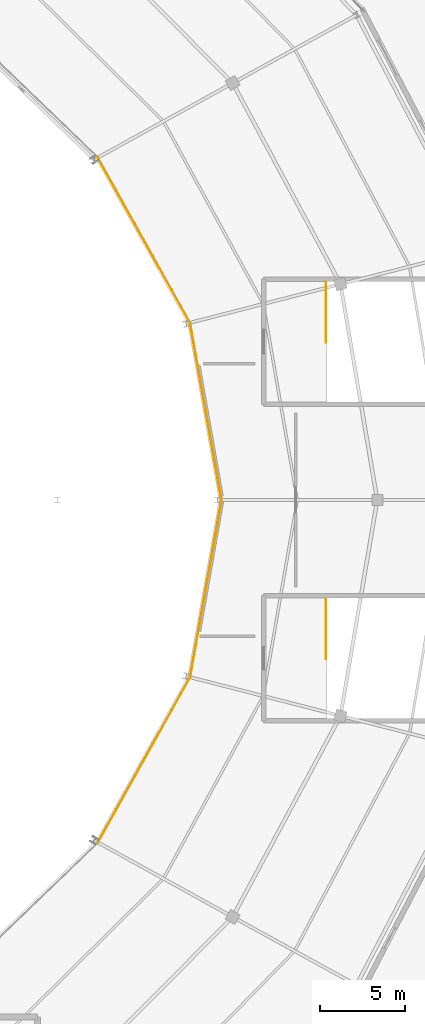
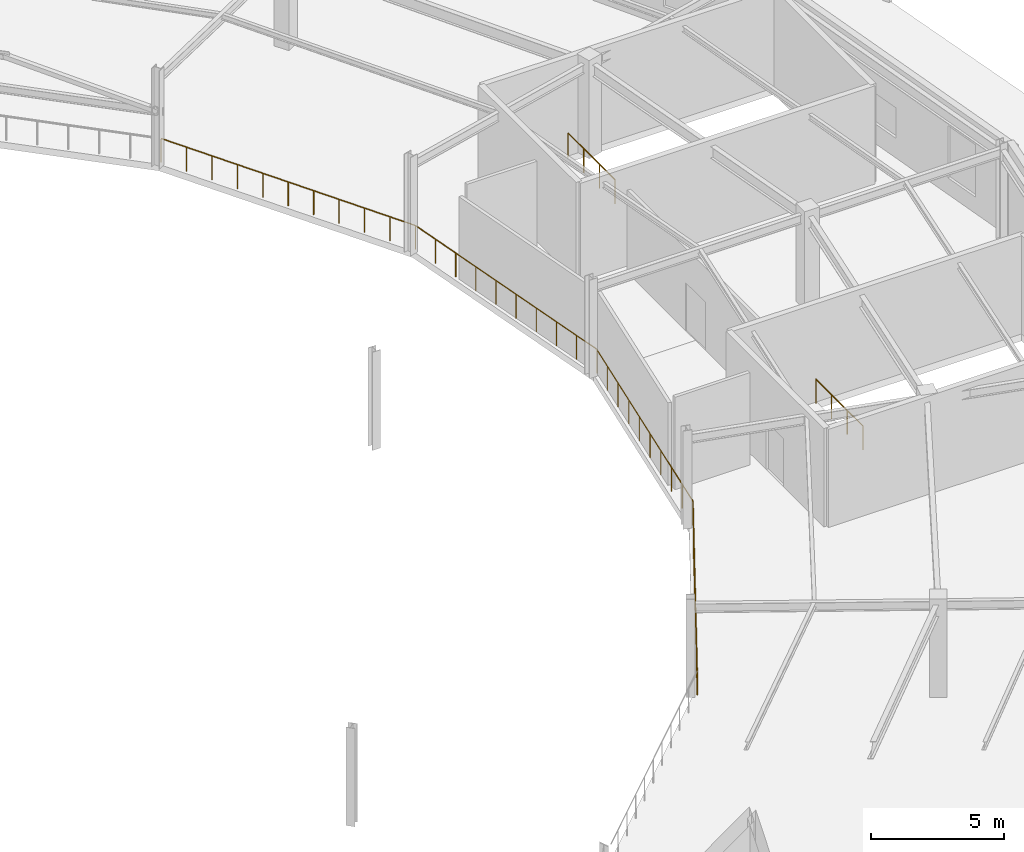
# One storey, part 126 of 126: 6 railings.
"""IFC4 building model written with IfcOpenShell, lengths in metres."""

import ifcopenshell
import ifcopenshell.guid

model = None  # the IFC model being written
_history = None  # IfcOwnerHistory: only IFC2X3 demands one
_inside = {}  # id of a spatial element -> (the spatial element, [elements in it])
_under = {}  # id of a project, library or spatial element -> (it, [spatial elements below it])
_declared = {}  # id of a project -> (the project, [libraries it declares])
_typed = {}  # id of a type object -> (the type object, [elements of that type])
_made_of = {}  # id of a material, layer set ... -> (it, [elements and type objects made of it])


def new_model(schema):
    """Start an empty IFC model of exactly this schema.

    Asked for "IFC4X3", IfcOpenShell would pick the latest addendum, in which some entities
    have other attributes; the version numbers below select the first issue.
    IFC2X3 requires an IfcOwnerHistory on every rooted entity: one is made here for all.
    """
    global model, _history
    if schema == "IFC4X3":
        model = ifcopenshell.file(schema_version=(4, 3, 0, 0))
    else:
        model = ifcopenshell.file(schema=schema)
    _inside.clear()
    _under.clear()
    _declared.clear()
    _typed.clear()
    _made_of.clear()
    _history = None
    if model.schema == "IFC2X3":
        org = make("IfcOrganization", Name="unknown")
        user = make(
            "IfcPersonAndOrganization",
            ThePerson=make("IfcPerson", FamilyName="unknown"),
            TheOrganization=org,
        )
        app = make(
            "IfcApplication",
            ApplicationDeveloper=org,
            Version="unknown",
            ApplicationFullName="unknown",
            ApplicationIdentifier="unknown",
        )
        _history = make(
            "IfcOwnerHistory",
            OwningUser=user,
            OwningApplication=app,
            ChangeAction="ADDED",
            CreationDate=0,
        )
    return model


def make(cls, **values):
    """One entity of the class cls with the attributes given. An attribute that is None is left unset."""
    return model.create_entity(
        cls, **{name: value for name, value in values.items() if value is not None}
    )


def rooted(cls, **values):
    """An entity with a GlobalId (a new one), such as an element, a storey or a relation."""
    return make(cls, GlobalId=ifcopenshell.guid.new(), OwnerHistory=_history, **values)


def si_unit(unit_type, name, prefix=None):
    """IfcSIUnit, for example si_unit("LENGTHUNIT", "METRE", prefix="MILLI")."""
    return make("IfcSIUnit", UnitType=unit_type, Prefix=prefix, Name=name)


def assignment(units):
    """IfcUnitAssignment: the units of a project."""
    return None if units is None else make("IfcUnitAssignment", Units=units)


def point(xyz):
    """IfcCartesianPoint."""
    return None if xyz is None else make("IfcCartesianPoint", Coordinates=xyz)


def direction(xyz):
    """IfcDirection."""
    return None if xyz is None else make("IfcDirection", DirectionRatios=xyz)


def frame(location, z_axis=None, x_axis=None):
    """IfcAxis2Placement3D, a coordinate frame: its origin and axes. An axis left out is left unset."""
    return make(
        "IfcAxis2Placement3D",
        Location=point(location),
        Axis=direction(z_axis),
        RefDirection=direction(x_axis),
    )


def frame_2d(location, x_axis=None):
    """IfcAxis2Placement2D, a coordinate frame in the plane: its origin and x axis."""
    return make(
        "IfcAxis2Placement2D", Location=point(location), RefDirection=direction(x_axis)
    )


def origin():
    """The frame at (0, 0, 0) with its axes left unset."""
    return frame((0.0, 0.0, 0.0))


def origin_2d():
    """The frame at (0, 0) in the plane with its x axis left unset."""
    return frame_2d((0.0, 0.0))


def place(relative_to, where):
    """IfcLocalPlacement: puts the frame where relative to a parent placement (None: the world)."""
    return make(
        "IfcLocalPlacement", PlacementRelTo=relative_to, RelativePlacement=where
    )


def context(
    kind, dimensions, precision=None, world=None, true_north=None, identifier=None
):
    """IfcGeometricRepresentationContext, for example the 3D "Model" context."""
    return make(
        "IfcGeometricRepresentationContext",
        ContextIdentifier=identifier,
        ContextType=kind,
        CoordinateSpaceDimension=dimensions,
        Precision=precision,
        WorldCoordinateSystem=world,
        TrueNorth=true_north,
    )


def subcontext(parent, identifier, kind, view, scale=None):
    """IfcGeometricRepresentationSubContext, for example "Body" below "Model"."""
    return make(
        "IfcGeometricRepresentationSubContext",
        ContextIdentifier=identifier,
        ContextType=kind,
        ParentContext=parent,
        TargetScale=scale,
        TargetView=view,
    )


def project(units=None, contexts=None):
    """IfcProject with its units and contexts."""
    return rooted(
        "IfcProject",
        Name="project",
        RepresentationContexts=contexts,
        UnitsInContext=assignment(units),
    )


def spatial(cls, under=None, at=None, **own):
    """A site, building, storey or space (cls), placed at a placement, below another one or the project."""
    s = rooted(cls, ObjectPlacement=at, **own)
    if under is not None:
        _under.setdefault(under.id(), (under, []))[1].append(s)
    return s


def profile(cls, at=None, kind="AREA", **sizes):
    """A parametric profile (cls). Its sizes go by their IFC names, for example OverallWidth=200.0."""
    return make(cls, ProfileType=kind, Position=at, **sizes)


def circle(**sizes):
    """IfcCircleProfileDef."""
    return profile("IfcCircleProfileDef", **sizes)


def extrude(swept, where, along, depth):
    """IfcExtrudedAreaSolid: the profile swept, set in the frame where, extruded along a direction by depth."""
    return make(
        "IfcExtrudedAreaSolid",
        SweptArea=swept,
        Position=where,
        ExtrudedDirection=direction(along),
        Depth=depth,
    )


def shape(context_of_items, identifier, shape_type, items):
    """IfcShapeRepresentation: the items that make up one representation, for example the "Body"."""
    return make(
        "IfcShapeRepresentation",
        ContextOfItems=context_of_items,
        RepresentationIdentifier=identifier,
        RepresentationType=shape_type,
        Items=items,
    )


def material(Name=None, Category=None):
    """IfcMaterial."""
    return make("IfcMaterial", Name=Name, Category=Category)


def made_of(thing, what):
    """Note that an element or type object is made of a material, layer set ...; save() writes the relation."""
    if what is not None:
        _made_of.setdefault(what.id(), (what, []))[1].append(thing)
    return thing


def type_object(cls, material=None, **own):
    """A type object (cls), such as IfcWallType, which elements share."""
    return made_of(rooted(cls, **own), material)


def element(
    cls,
    number,
    at=None,
    inside=None,
    cuts=None,
    type_object=None,
    material=None,
    context=None,
    identifier="Body",
    shape_type=None,
    held_by="IfcProductDefinitionShape",
    body=None,
    shapes=None,
    **own,
):
    """One element of the class cls, such as IfcWall. Its Tag is "e" and its number.

    at: its placement. inside: the storey or other place that contains it. cuts: it is an
    opening in that element (IfcRelVoidsElement). A single representation is given by context,
    identifier, shape_type and body (its items); several are given by shapes. held_by: the class
    of the entity that holds the representations. save() writes the other relations.
    """
    e = rooted(cls, Tag="e%d" % number, ObjectPlacement=at, **own)
    if body is not None:
        shapes = [shape(context, identifier, shape_type, body)]
    if shapes is not None:
        e.Representation = make(held_by, Representations=shapes)
    if inside is not None:
        _inside.setdefault(inside.id(), (inside, []))[1].append(e)
    if cuts is not None:
        rooted(
            "IfcRelVoidsElement", RelatingBuildingElement=cuts, RelatedOpeningElement=e
        )
    if type_object is not None:
        _typed.setdefault(type_object.id(), (type_object, []))[1].append(e)
    return made_of(e, material)


def aggregate(whole, parts):
    """IfcRelAggregates: a whole, such as a stair, and the parts it consists of."""
    return rooted("IfcRelAggregates", RelatingObject=whole, RelatedObjects=parts)


def save(model, path):
    """Write the relations noted so far, then the file.

    IfcRelAggregates (storeys below a building ...), IfcRelContainedInSpatialStructure (elements
    in a storey), IfcRelDefinesByType, IfcRelAssociatesMaterial and IfcRelDeclares: one each for
    every whole, place, type object, material and project.
    """
    for whole, parts in _under.values():
        aggregate(whole, parts)
    for where, things in _inside.values():
        rooted(
            "IfcRelContainedInSpatialStructure",
            RelatedElements=things,
            RelatingStructure=where,
        )
    for kind, things in _typed.values():
        rooted("IfcRelDefinesByType", RelatedObjects=things, RelatingType=kind)
    for what, things in _made_of.values():
        rooted("IfcRelAssociatesMaterial", RelatedObjects=things, RelatingMaterial=what)
    for by, libraries in _declared.values():
        rooted("IfcRelDeclares", RelatingContext=by, RelatedDefinitions=libraries)
    model.write(path)


model = new_model("IFC4")

# Units and contexts
model_context = context("Model", 3, precision=1e-05, world=origin(), true_north=direction((0.0, 1.0)))
body_context = subcontext(model_context, "Body", "Model", "MODEL_VIEW")
ifc_project = project(units=[si_unit("LENGTHUNIT", "METRE"), si_unit("AREAUNIT", "SQUARE_METRE"), si_unit("VOLUMEUNIT", "CUBIC_METRE"), si_unit("PLANEANGLEUNIT", "RADIAN"), si_unit("MASSUNIT", "GRAM", prefix="KILO")], contexts=[model_context])

# Site, building, storey
site_placement = place(None, origin())
site = spatial("IfcSite", under=ifc_project, at=site_placement, CompositionType="ELEMENT")
building_placement = place(site_placement, origin())
building = spatial("IfcBuilding", under=site, at=building_placement, Name="Kalgoora Escarpment Arena", CompositionType="ELEMENT")
storey_placement = place(building_placement, frame((0.0, 0.0, 18.89990234375)))
storey = spatial("IfcBuildingStorey", under=building, at=storey_placement, Name="L04", CompositionType="ELEMENT", Elevation=18.89990234375)

# Railings
ifc_material = material(Name="Galvanised & powdercoated tubular steel", Category="steel")
railing_type = type_object("IfcRailingType", Name="RAL-GUARD-1120", PredefinedType="GUARDRAIL", material=ifc_material)
for number, where, name in (
    (1, (152.7900390625, 76.7900390625, 0.0), "ST21 top landing well guardrail"),
    (2, (152.7900390625, 58.18994140625, 0.0), "ST22 top landing well guardrail"),
):
    element("IfcRailing", number, at=place(storey_placement, frame(where)), inside=storey, type_object=railing_type, Name=name, PredefinedType="GUARDRAIL", context=body_context, shape_type="SweptSolid", body=[
        extrude(circle(Radius=0.02392578125, at=origin_2d()), frame((0.0, 0.0, 1.09619140625), z_axis=(0.0, -1.0, 0.0), x_axis=(1.0, 0.0, 0.0)), (0.0, 0.0, 1.0), 3.530029296875),
        extrude(circle(Radius=0.02099609375, at=origin_2d()), origin(), (0.0, 0.0, 1.0), 1.072021484375),
        extrude(circle(Radius=0.02099609375, at=origin_2d()), frame((0.0, -1.1767578125, 0.0)), (0.0, 0.0, 1.0), 1.072021484375),
        extrude(circle(Radius=0.02099609375, at=origin_2d()), frame((0.0, -2.353271484375, 0.0)), (0.0, 0.0, 1.0), 1.072021484375),
        extrude(circle(Radius=0.02099609375, at=origin_2d()), frame((0.0, -3.530029296875, 0.0)), (0.0, 0.0, 1.0), 1.072021484375),
    ])
railing_1_placement = place(storey_placement, frame((146.64990234375, 64.0, 0.0)))
element("IfcRailing", 3, at=railing_1_placement, inside=storey, type_object=railing_type, Name="L04 concourse bowl balustrade 01", PredefinedType="GUARDRAIL", context=body_context, shape_type="SweptSolid", body=[
    extrude(circle(Radius=0.02392578125, at=origin_2d()), frame((0.0, 0.0, 1.09619140625), z_axis=(-0.174702770967, 0.984621217432, 0.0), x_axis=(-0.984621217432, -0.174702770967, 0.0)), (0.0, 0.0, 1.0), 10.580078125),
    extrude(circle(Radius=0.02099609375, at=origin_2d()), origin(), (0.0, 0.0, 1.0), 1.072021484375),
    extrude(circle(Radius=0.02099609375, at=origin_2d()), frame((-0.205322265625, 1.157470703125, 0.0)), (0.0, 0.0, 1.0), 1.072021484375),
    extrude(circle(Radius=0.02099609375, at=origin_2d()), frame((-0.41064453125, 2.31494140625, 0.0)), (0.0, 0.0, 1.0), 1.072021484375),
    extrude(circle(Radius=0.02099609375, at=origin_2d()), frame((-0.6162109375, 3.472412109375, 0.0)), (0.0, 0.0, 1.0), 1.072021484375),
    extrude(circle(Radius=0.02099609375, at=origin_2d()), frame((-0.821533203125, 4.6298828125, 0.0)), (0.0, 0.0, 1.0), 1.072021484375),
    extrude(circle(Radius=0.02099609375, at=origin_2d()), frame((-1.02685546875, 5.78759765625, 0.0)), (0.0, 0.0, 1.0), 1.072021484375),
    extrude(circle(Radius=0.02099609375, at=origin_2d()), frame((-1.232177734375, 6.945068359375, 0.0)), (0.0, 0.0, 1.0), 1.072021484375),
    extrude(circle(Radius=0.02099609375, at=origin_2d()), frame((-1.437744140625, 8.1025390625, 0.0)), (0.0, 0.0, 1.0), 1.072021484375),
    extrude(circle(Radius=0.02099609375, at=origin_2d()), frame((-1.64306640625, 9.260009765625, 0.0)), (0.0, 0.0, 1.0), 1.072021484375),
    extrude(circle(Radius=0.02099609375, at=origin_2d()), frame((-1.848388671875, 10.41748046875, 0.0)), (0.0, 0.0, 1.0), 1.072021484375),
])
railing_2_placement = place(storey_placement, frame((144.801513671875, 74.41748046875, 0.0)))
element("IfcRailing", 4, at=railing_2_placement, inside=storey, type_object=railing_type, Name="L04 concourse bowl balustrade 02", PredefinedType="GUARDRAIL", context=body_context, shape_type="SweptSolid", body=[
    extrude(circle(Radius=0.02392578125, at=origin_2d()), frame((0.0, 0.0, 1.09619140625), z_axis=(-0.487470898581, 0.873139234622, 0.0), x_axis=(-0.873139234622, -0.487470898581, 0.0)), (0.0, 0.0, 1.0), 11.117919921875),
    extrude(circle(Radius=0.02099609375, at=origin_2d()), origin(), (0.0, 0.0, 1.0), 1.072021484375),
    extrude(circle(Radius=0.02099609375, at=origin_2d()), frame((-0.5419921875, 0.970703125, 0.0)), (0.0, 0.0, 1.0), 1.072021484375),
    extrude(circle(Radius=0.02099609375, at=origin_2d()), frame((-1.083984375, 1.94140625, 0.0)), (0.0, 0.0, 1.0), 1.072021484375),
    extrude(circle(Radius=0.02099609375, at=origin_2d()), frame((-1.6259765625, 2.912353515625, 0.0)), (0.0, 0.0, 1.0), 1.072021484375),
    extrude(circle(Radius=0.02099609375, at=origin_2d()), frame((-2.16796875, 3.883056640625, 0.0)), (0.0, 0.0, 1.0), 1.072021484375),
    extrude(circle(Radius=0.02099609375, at=origin_2d()), frame((-2.7099609375, 4.853759765625, 0.0)), (0.0, 0.0, 1.0), 1.072021484375),
    extrude(circle(Radius=0.02099609375, at=origin_2d()), frame((-3.251708984375, 5.824462890625, 0.0)), (0.0, 0.0, 1.0), 1.072021484375),
    extrude(circle(Radius=0.02099609375, at=origin_2d()), frame((-3.793701171875, 6.795166015625, 0.0)), (0.0, 0.0, 1.0), 1.072021484375),
    extrude(circle(Radius=0.02099609375, at=origin_2d()), frame((-4.335693359375, 7.76611328125, 0.0)), (0.0, 0.0, 1.0), 1.072021484375),
    extrude(circle(Radius=0.02099609375, at=origin_2d()), frame((-4.877685546875, 8.73681640625, 0.0)), (0.0, 0.0, 1.0), 1.072021484375),
    extrude(circle(Radius=0.02099609375, at=origin_2d()), frame((-5.419677734375, 9.70751953125, 0.0)), (0.0, 0.0, 1.0), 1.072021484375),
])
railing_3_placement = place(storey_placement, frame((139.3818359375, 43.875, 0.0)))
element("IfcRailing", 5, at=railing_3_placement, inside=storey, type_object=railing_type, Name="L04 concourse bowl balustrade 23", PredefinedType="GUARDRAIL", context=body_context, shape_type="SweptSolid", body=[
    extrude(circle(Radius=0.02392578125, at=origin_2d()), frame((0.0, 0.0, 1.09619140625), z_axis=(0.487470898581, 0.873139234622, 0.0), x_axis=(-0.873139234622, 0.487470898581, 0.0)), (0.0, 0.0, 1.0), 11.117919921875),
    extrude(circle(Radius=0.02099609375, at=origin_2d()), origin(), (0.0, 0.0, 1.0), 1.072021484375),
    extrude(circle(Radius=0.02099609375, at=origin_2d()), frame((0.5419921875, 0.970703125, 0.0)), (0.0, 0.0, 1.0), 1.072021484375),
    extrude(circle(Radius=0.02099609375, at=origin_2d()), frame((1.083984375, 1.94140625, 0.0)), (0.0, 0.0, 1.0), 1.072021484375),
    extrude(circle(Radius=0.02099609375, at=origin_2d()), frame((1.6259765625, 2.912353515625, 0.0)), (0.0, 0.0, 1.0), 1.072021484375),
    extrude(circle(Radius=0.02099609375, at=origin_2d()), frame((2.16796875, 3.883056640625, 0.0)), (0.0, 0.0, 1.0), 1.072021484375),
    extrude(circle(Radius=0.02099609375, at=origin_2d()), frame((2.7099609375, 4.853759765625, 0.0)), (0.0, 0.0, 1.0), 1.072021484375),
    extrude(circle(Radius=0.02099609375, at=origin_2d()), frame((3.251708984375, 5.824462890625, 0.0)), (0.0, 0.0, 1.0), 1.072021484375),
    extrude(circle(Radius=0.02099609375, at=origin_2d()), frame((3.793701171875, 6.795166015625, 0.0)), (0.0, 0.0, 1.0), 1.072021484375),
    extrude(circle(Radius=0.02099609375, at=origin_2d()), frame((4.335693359375, 7.76611328125, 0.0)), (0.0, 0.0, 1.0), 1.072021484375),
    extrude(circle(Radius=0.02099609375, at=origin_2d()), frame((4.877685546875, 8.73681640625, 0.0)), (0.0, 0.0, 1.0), 1.072021484375),
    extrude(circle(Radius=0.02099609375, at=origin_2d()), frame((5.419677734375, 9.70751953125, 0.0)), (0.0, 0.0, 1.0), 1.072021484375),
])
railing_4_placement = place(storey_placement, frame((144.801513671875, 53.58251953125, 0.0)))
element("IfcRailing", 6, at=railing_4_placement, inside=storey, type_object=railing_type, Name="L04 concourse bowl balustrade 24", PredefinedType="GUARDRAIL", context=body_context, shape_type="SweptSolid", body=[
    extrude(circle(Radius=0.02392578125, at=origin_2d()), frame((0.0, 0.0, 1.09619140625), z_axis=(0.174702770967, 0.984621217432, 0.0), x_axis=(-0.984621217432, 0.174702770967, 0.0)), (0.0, 0.0, 1.0), 10.580078125),
    extrude(circle(Radius=0.02099609375, at=origin_2d()), origin(), (0.0, 0.0, 1.0), 1.072021484375),
    extrude(circle(Radius=0.02099609375, at=origin_2d()), frame((0.205322265625, 1.157470703125, 0.0)), (0.0, 0.0, 1.0), 1.072021484375),
    extrude(circle(Radius=0.02099609375, at=origin_2d()), frame((0.41064453125, 2.31494140625, 0.0)), (0.0, 0.0, 1.0), 1.072021484375),
    extrude(circle(Radius=0.02099609375, at=origin_2d()), frame((0.6162109375, 3.472412109375, 0.0)), (0.0, 0.0, 1.0), 1.072021484375),
    extrude(circle(Radius=0.02099609375, at=origin_2d()), frame((0.821533203125, 4.6298828125, 0.0)), (0.0, 0.0, 1.0), 1.072021484375),
    extrude(circle(Radius=0.02099609375, at=origin_2d()), frame((1.02685546875, 5.78759765625, 0.0)), (0.0, 0.0, 1.0), 1.072021484375),
    extrude(circle(Radius=0.02099609375, at=origin_2d()), frame((1.232177734375, 6.945068359375, 0.0)), (0.0, 0.0, 1.0), 1.072021484375),
    extrude(circle(Radius=0.02099609375, at=origin_2d()), frame((1.437744140625, 8.1025390625, 0.0)), (0.0, 0.0, 1.0), 1.072021484375),
    extrude(circle(Radius=0.02099609375, at=origin_2d()), frame((1.64306640625, 9.260009765625, 0.0)), (0.0, 0.0, 1.0), 1.072021484375),
    extrude(circle(Radius=0.02099609375, at=origin_2d()), frame((1.848388671875, 10.41748046875, 0.0)), (0.0, 0.0, 1.0), 1.072021484375),
])

save(model, "model.ifc")
